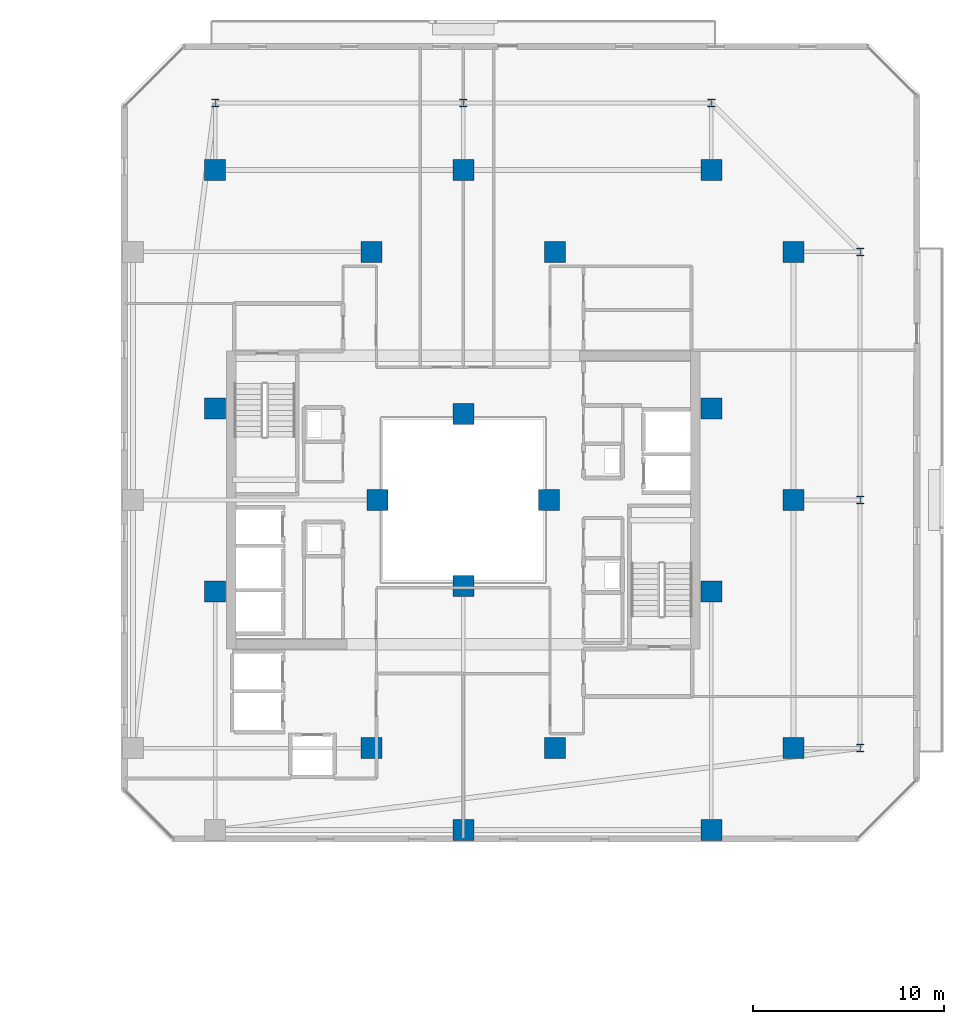
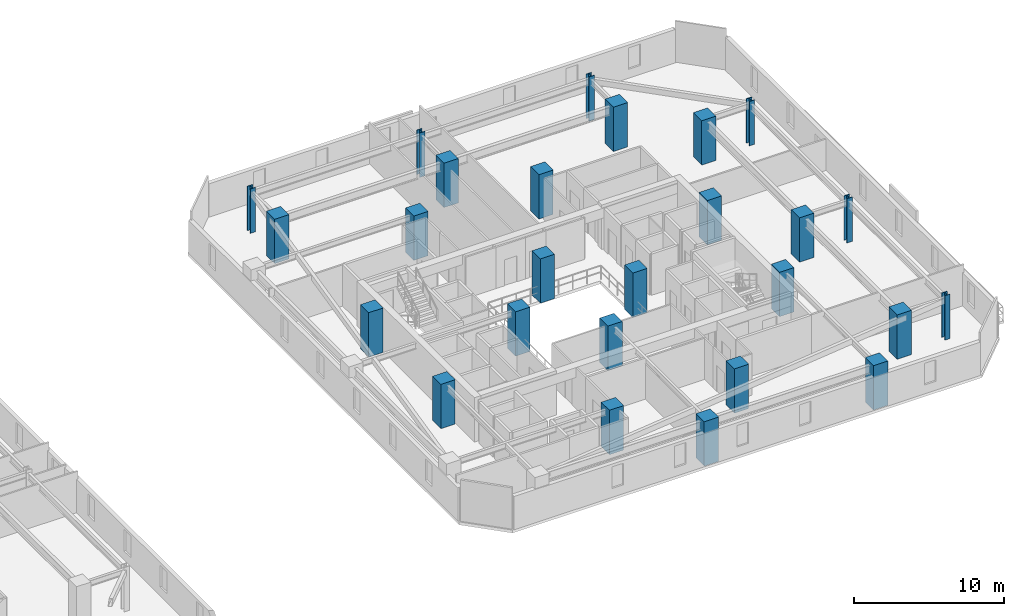
# One storey, part 2 of 33: 26 columns.
"""IFC4 building model written with IfcOpenShell, lengths in metres."""

from ifc_helpers import new_model, si_unit, direction, frame, origin, origin_2d, place, context, subcontext, project, spatial, rectangle, i_section, extrude, material, material_profile, profile_set, type_object, element, save


model = new_model("IFC4")

# Units and contexts
model_context = context("Model", 3, precision=1e-05, world=origin(), true_north=direction((0.0, 1.0)))
body_context = subcontext(model_context, "Body", "Model", "MODEL_VIEW")
ifc_project = project(units=[si_unit("LENGTHUNIT", "METRE"), si_unit("AREAUNIT", "SQUARE_METRE"), si_unit("VOLUMEUNIT", "CUBIC_METRE"), si_unit("PLANEANGLEUNIT", "RADIAN"), si_unit("MASSUNIT", "GRAM", prefix="KILO")], contexts=[model_context])

# Site, building, storey
site_placement = place(None, origin())
site = spatial("IfcSite", under=ifc_project, at=site_placement, CompositionType="ELEMENT")
building_placement = place(site_placement, origin())
building = spatial("IfcBuilding", under=site, at=building_placement, Name="Thornwick Lancets Civic Towers", CompositionType="ELEMENT")
storey_placement = place(building_placement, frame((0.0, 0.0, 163.5)))
storey = spatial("IfcBuildingStorey", under=building, at=storey_placement, Name="L43", CompositionType="ELEMENT", Elevation=163.5)

# Columns
ifc_material_1 = material(Name="Concrete C50/60", Category="concrete")
ifc_material_profile_1 = material_profile(ifc_material_1, rectangle(XDim=1.10009765625, YDim=1.10009765625, at=origin_2d()), Name="RC 1100x1100")
ifc_profile_set_1 = profile_set([ifc_material_profile_1], Name="Concrete C50/60")
column_type_1 = type_object("IfcColumnType", Name="COL_RC_1100", PredefinedType="COLUMN", material=ifc_profile_set_1)
for number, where, z_axis, x_axis, name in (
    (1, (105.800048828125, 14.0, 0.0), (0.0, 0.0, 1.0), (1.0, 0.0, 0.0), "L43 Spine Mega-Column B01"),
    (2, (105.800048828125, 27.0, 0.0), (0.0, 0.0, 1.0), (1.0, 0.0, 0.0), "L43 Spine Mega-Column B02"),
    (3, (105.800048828125, 40.0, 0.0), (0.0, 0.0, 1.0), (1.0, 0.0, 0.0), "L43 Spine Mega-Column B03"),
    (4, (101.5, 44.300048828125, 0.0), (0.0, 0.0, 1.0), (1.0, 0.0, 0.0), "L43 Spine Mega-Column B04"),
    (5, (88.5, 44.300048828125, 0.0), (0.0, 0.0, 1.0), (1.0, 0.0, 0.0), "L43 Spine Mega-Column B05"),
    (6, (75.5, 44.300048828125, 0.0), (0.0, 0.0, 1.0), (1.0, 0.0, 0.0), "L43 Spine Mega-Column B06"),
    (7, (101.5, 9.699951171875, 0.0), (0.0, 0.0, 1.0), (1.0, 0.0, 0.0), "L43 Spine Mega-Column B10"),
    (8, (88.5, 9.699951171875, 0.0), (0.0, 0.0, 1.0), (1.0, 0.0, 0.0), "L43 Spine Mega-Column B11"),
    (9, (93.300048828125, 14.0, 0.0), (0.0, 0.0, 1.0), (1.0, 0.0, 0.0), "L43 Spine Mega-Column B13"),
    (10, (93.300048828125, 40.0, 0.0), (0.0, 0.0, 1.0), (1.0, 0.0, 0.0), "L43 Spine Mega-Column B14"),
    (11, (83.699951171875, 14.0, 0.0), (0.0, 0.0, 1.0), (1.0, 0.0, 0.0), "L43 Spine Mega-Column B15"),
    (12, (83.699951171875, 40.0, 0.0), (0.0, 0.0, 1.0), (1.0, 0.0, 0.0), "L43 Spine Mega-Column B16"),
    (13, (101.5, 22.199951171875, 0.0), (0.0, 0.0, 1.0), (1.0, 0.0, 0.0), "L43 Spine Mega-Column B17"),
    (14, (101.5, 31.800048828125, 0.0), (0.0, 0.0, 1.0), (1.0, 0.0, 0.0), "L43 Spine Mega-Column B18"),
    (15, (75.5, 22.199951171875, 0.0), (0.0, 0.0, 1.0), (1.0, 0.0, 0.0), "L43 Spine Mega-Column B19"),
    (16, (75.5, 31.800048828125, 0.0), (0.0, 0.0, 1.0), (1.0, 0.0, 0.0), "L43 Spine Mega-Column B20"),
    (17, (93.0, 27.0, 0.0), (0.0, 0.0, 1.0), (1.0, 0.0, 0.0), "L43 Spine Mega-Column B21"),
    (18, (84.0, 27.0, 0.0), (0.0, 0.0, 1.0), (1.0, 0.0, 0.0), "L43 Spine Mega-Column B22"),
    (19, (88.5, 22.5, 0.0), (0.0, 0.0, 1.0), (1.0, 0.0, 0.0), "L43 Spine Mega-Column B23"),
    (20, (88.5, 31.5, 0.0), (0.0, 0.0, 1.0), (1.0, 0.0, 0.0), "L43 Spine Mega-Column B24"),
):
    element("IfcColumn", number, at=place(storey_placement, frame(where, z_axis=z_axis, x_axis=x_axis)), inside=storey, type_object=column_type_1, Name=name, PredefinedType="COLUMN", context=body_context, shape_type="SweptSolid", body=[
        extrude(rectangle(XDim=1.10009765625, YDim=1.10009765625, at=origin_2d()), origin(), (0.0, 0.0, 1.0), 3.60009765625),
    ])
ifc_material_2 = material(Name="Steel S460M", Category="steel")
ifc_material_profile_2 = material_profile(ifc_material_2, i_section(OverallWidth=0.406982421875, OverallDepth=0.4189453125, WebThickness=0.030517578125, FlangeThickness=0.04931640625, FilletRadius=0.01513671875, at=origin_2d()), Name="UKC 356x406x393")
ifc_profile_set_2 = profile_set([ifc_material_profile_2], Name="Steel S460M")
column_type_2 = type_object("IfcColumnType", Name="COL_UKC_393", PredefinedType="COLUMN", material=ifc_profile_set_2)
for number, where, z_axis, x_axis, name in (
    (21, (109.300048828125, 14.0, 0.0), (0.0, 0.0, 1.0), (1.0, 0.0, 0.0), "L43 Block Perimeter Column B01"),
    (22, (109.300048828125, 27.0, 0.0), (0.0, 0.0, 1.0), (1.0, 0.0, 0.0), "L43 Block Perimeter Column B02"),
    (23, (109.300048828125, 40.0, 0.0), (0.0, 0.0, 1.0), (1.0, 0.0, 0.0), "L43 Block Perimeter Column B03"),
    (24, (101.5, 47.800048828125, 0.0), (0.0, 0.0, 1.0), (1.0, 0.0, 0.0), "L43 Block Perimeter Column B04"),
    (25, (88.5, 47.800048828125, 0.0), (0.0, 0.0, 1.0), (1.0, 0.0, 0.0), "L43 Block Perimeter Column B05"),
    (26, (75.5, 47.800048828125, 0.0), (0.0, 0.0, 1.0), (1.0, 0.0, 0.0), "L43 Block Perimeter Column B06"),
):
    element("IfcColumn", number, at=place(storey_placement, frame(where, z_axis=z_axis, x_axis=x_axis)), inside=storey, type_object=column_type_2, Name=name, PredefinedType="COLUMN", context=body_context, shape_type="SweptSolid", body=[
        extrude(i_section(OverallWidth=0.406982421875, OverallDepth=0.4189453125, WebThickness=0.030517578125, FlangeThickness=0.04931640625, FilletRadius=0.01513671875, at=origin_2d()), origin(), (0.0, 0.0, 1.0), 3.60009765625),
    ])

save(model, "model.ifc")
